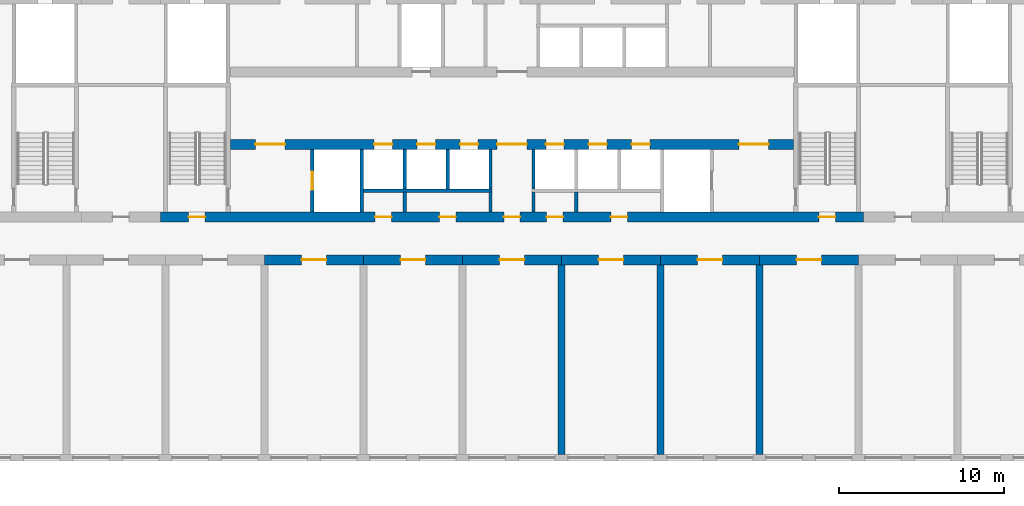
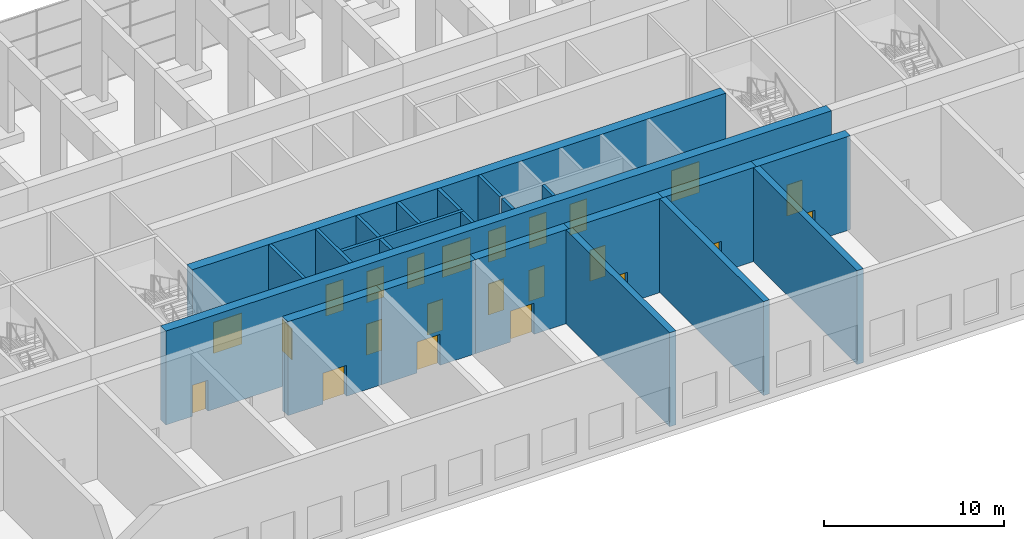
# One storey, part 9 of 15: 23 doors, 22 walls, 23 openings.
"""IFC4 building model written with IfcOpenShell, lengths in metres."""

from ifc_helpers import new_model, si_unit, direction, frame, frame_2d, origin, place, context, subcontext, project, spatial, rectangle, extrude, material, layer, layer_set, type_object, element, fill, save


model = new_model("IFC4")

# Units and contexts
model_context = context("Model", 3, precision=1e-05, world=origin(), true_north=direction((0.0, 1.0)))
body_context = subcontext(model_context, "Body", "Model", "MODEL_VIEW")
ifc_project = project(units=[si_unit("LENGTHUNIT", "METRE"), si_unit("AREAUNIT", "SQUARE_METRE"), si_unit("VOLUMEUNIT", "CUBIC_METRE"), si_unit("PLANEANGLEUNIT", "RADIAN"), si_unit("MASSUNIT", "GRAM", prefix="KILO")], contexts=[model_context])

# Site, building, storey
site_placement = place(None, origin())
site = spatial("IfcSite", under=ifc_project, at=site_placement, CompositionType="ELEMENT")
building_placement = place(site_placement, origin())
building = spatial("IfcBuilding", under=site, at=building_placement, Name="Poui Terraces", CompositionType="ELEMENT")
storey_placement = place(building_placement, frame((0.0, 0.0, 66.300048828125)))
storey = spatial("IfcBuildingStorey", under=building, at=storey_placement, Name="L18", CompositionType="ELEMENT", Elevation=66.300048828125)

# Wall, opening, door
ifc_material_1 = material(Name="Concrete 80 MPa", Category="concrete")
ifc_layer_1 = layer(ifc_material_1, 0.60009765625)
ifc_layer_set_1 = layer_set([ifc_layer_1], Name="Concrete 80 MPa")
wall_type_1 = type_object("IfcWallType", Name="BELT WALL 600 80MPa", PredefinedType="SHEAR", material=ifc_layer_set_1)
wall_1_placement = place(storey_placement, frame((36.0, 12.0, 0.0), z_axis=(0.0, 0.0, 1.0), x_axis=(1.0, 0.0, 0.0)))
wall_1 = element("IfcWall", 1, at=wall_1_placement, inside=storey, type_object=wall_type_1, Name="BELT WALL LINE B BAY 6", PredefinedType="SHEAR", context=body_context, shape_type="SweptSolid", body=[
    extrude(rectangle(XDim=6.0, YDim=0.60009765625, at=frame_2d((3.0, 0.0))), origin(), (0.0, 0.0, 1.0), 6.35986328125),
])
opening_1_placement = place(wall_1_placement, frame((2.25, 0.0, 0.0)))
opening_1 = element("IfcOpeningElement", 2, at=opening_1_placement, cuts=wall_1, Name="Opening FDP", PredefinedType="OPENING", context=body_context, shape_type="SweptSolid", body=[
    extrude(rectangle(XDim=1.5, YDim=2.10009765625, at=frame_2d((0.75, 1.050048828125))), frame((0.0, 0.31005859375, 0.0), z_axis=(0.0, -1.0, 0.0), x_axis=(1.0, 0.0, 0.0)), (0.0, 0.0, 1.0), 0.6201171875),
])
ifc_material_2 = material(Name="Steel fire door", Category="steel")
door_type_1 = type_object("IfcDoorType", Name="PLANT ROOM DOOR PAIR 1500 X 2100", OperationType="DOUBLE_DOOR_SINGLE_SWING", PredefinedType="DOOR", material=ifc_material_2)
door_1_placement = place(opening_1_placement, origin())
door_1 = element("IfcDoor", 3, at=door_1_placement, inside=storey, type_object=door_type_1, Name="PLANT ROOM DOOR PAIR 033", OperationType="DOUBLE_DOOR_SINGLE_SWING", OverallHeight=2.10009765625, OverallWidth=1.5, PredefinedType="DOOR", context=body_context, shape_type="SweptSolid", body=[
    extrude(rectangle(XDim=1.5, YDim=2.10009765625, at=frame_2d((0.75, 1.050048828125))), frame((0.0, 0.02490234375, 0.0), z_axis=(0.0, -1.0, 0.0), x_axis=(1.0, 0.0, 0.0)), (0.0, 0.0, 1.0), 0.050048828125),
])
fill(opening_1, door_1)

wall_2_placement = place(storey_placement, frame((42.0, 12.0, 0.0), z_axis=(0.0, 0.0, 1.0), x_axis=(1.0, 0.0, 0.0)))
wall_2 = element("IfcWall", 4, at=wall_2_placement, inside=storey, type_object=wall_type_1, Name="BELT WALL LINE B BAY 7", PredefinedType="SHEAR", context=body_context, shape_type="SweptSolid", body=[
    extrude(rectangle(XDim=6.0, YDim=0.60009765625, at=frame_2d((3.0, 0.0))), origin(), (0.0, 0.0, 1.0), 6.35986328125),
])
opening_2_placement = place(wall_2_placement, frame((2.25, 0.0, 0.0)))
opening_2 = element("IfcOpeningElement", 5, at=opening_2_placement, cuts=wall_2, Name="Opening FDP", PredefinedType="OPENING", context=body_context, shape_type="SweptSolid", body=[
    extrude(rectangle(XDim=1.5, YDim=2.10009765625, at=frame_2d((0.75, 1.050048828125))), frame((0.0, 0.31005859375, 0.0), z_axis=(0.0, -1.0, 0.0), x_axis=(1.0, 0.0, 0.0)), (0.0, 0.0, 1.0), 0.6201171875),
])
door_2_placement = place(opening_2_placement, origin())
door_2 = element("IfcDoor", 6, at=door_2_placement, inside=storey, type_object=door_type_1, Name="PLANT ROOM DOOR PAIR 035", OperationType="DOUBLE_DOOR_SINGLE_SWING", OverallHeight=2.10009765625, OverallWidth=1.5, PredefinedType="DOOR", context=body_context, shape_type="SweptSolid", body=[
    extrude(rectangle(XDim=1.5, YDim=2.10009765625, at=frame_2d((0.75, 1.050048828125))), frame((0.0, 0.02490234375, 0.0), z_axis=(0.0, -1.0, 0.0), x_axis=(1.0, 0.0, 0.0)), (0.0, 0.0, 1.0), 0.050048828125),
])
fill(opening_2, door_2)

wall_3_placement = place(storey_placement, frame((48.0, 12.0, 0.0), z_axis=(0.0, 0.0, 1.0), x_axis=(1.0, 0.0, 0.0)))
wall_3 = element("IfcWall", 7, at=wall_3_placement, inside=storey, type_object=wall_type_1, Name="BELT WALL LINE B BAY 8", PredefinedType="SHEAR", context=body_context, shape_type="SweptSolid", body=[
    extrude(rectangle(XDim=6.0, YDim=0.60009765625, at=frame_2d((3.0, 0.0))), origin(), (0.0, 0.0, 1.0), 6.35986328125),
])
opening_3_placement = place(wall_3_placement, frame((2.25, 0.0, 0.0)))
opening_3 = element("IfcOpeningElement", 8, at=opening_3_placement, cuts=wall_3, Name="Opening FDP", PredefinedType="OPENING", context=body_context, shape_type="SweptSolid", body=[
    extrude(rectangle(XDim=1.5, YDim=2.10009765625, at=frame_2d((0.75, 1.050048828125))), frame((0.0, 0.31005859375, 0.0), z_axis=(0.0, -1.0, 0.0), x_axis=(1.0, 0.0, 0.0)), (0.0, 0.0, 1.0), 0.6201171875),
])
door_3_placement = place(opening_3_placement, origin())
door_3 = element("IfcDoor", 9, at=door_3_placement, inside=storey, type_object=door_type_1, Name="PLANT ROOM DOOR PAIR 037", OperationType="DOUBLE_DOOR_SINGLE_SWING", OverallHeight=2.10009765625, OverallWidth=1.5, PredefinedType="DOOR", context=body_context, shape_type="SweptSolid", body=[
    extrude(rectangle(XDim=1.5, YDim=2.10009765625, at=frame_2d((0.75, 1.050048828125))), frame((0.0, 0.02490234375, 0.0), z_axis=(0.0, -1.0, 0.0), x_axis=(1.0, 0.0, 0.0)), (0.0, 0.0, 1.0), 0.050048828125),
])
fill(opening_3, door_3)

wall_4_placement = place(storey_placement, frame((54.0, 12.0, 0.0), z_axis=(0.0, 0.0, 1.0), x_axis=(1.0, 0.0, 0.0)))
wall_4 = element("IfcWall", 10, at=wall_4_placement, inside=storey, type_object=wall_type_1, Name="BELT WALL LINE B BAY 9", PredefinedType="SHEAR", context=body_context, shape_type="SweptSolid", body=[
    extrude(rectangle(XDim=6.0, YDim=0.60009765625, at=frame_2d((3.0, 0.0))), origin(), (0.0, 0.0, 1.0), 6.35986328125),
])
opening_4_placement = place(wall_4_placement, frame((2.25, 0.0, 0.0)))
opening_4 = element("IfcOpeningElement", 11, at=opening_4_placement, cuts=wall_4, Name="Opening FDP", PredefinedType="OPENING", context=body_context, shape_type="SweptSolid", body=[
    extrude(rectangle(XDim=1.5, YDim=2.10009765625, at=frame_2d((0.75, 1.050048828125))), frame((0.0, 0.31005859375, 0.0), z_axis=(0.0, -1.0, 0.0), x_axis=(1.0, 0.0, 0.0)), (0.0, 0.0, 1.0), 0.6201171875),
])
door_4_placement = place(opening_4_placement, origin())
door_4 = element("IfcDoor", 12, at=door_4_placement, inside=storey, type_object=door_type_1, Name="PLANT ROOM DOOR PAIR 040", OperationType="DOUBLE_DOOR_SINGLE_SWING", OverallHeight=2.10009765625, OverallWidth=1.5, PredefinedType="DOOR", context=body_context, shape_type="SweptSolid", body=[
    extrude(rectangle(XDim=1.5, YDim=2.10009765625, at=frame_2d((0.75, 1.050048828125))), frame((0.0, 0.02490234375, 0.0), z_axis=(0.0, -1.0, 0.0), x_axis=(1.0, 0.0, 0.0)), (0.0, 0.0, 1.0), 0.050048828125),
])
fill(opening_4, door_4)

wall_5_placement = place(storey_placement, frame((60.0, 12.0, 0.0), z_axis=(0.0, 0.0, 1.0), x_axis=(1.0, 0.0, 0.0)))
wall_5 = element("IfcWall", 13, at=wall_5_placement, inside=storey, type_object=wall_type_1, Name="BELT WALL LINE B BAY 10", PredefinedType="SHEAR", context=body_context, shape_type="SweptSolid", body=[
    extrude(rectangle(XDim=6.0, YDim=0.60009765625, at=frame_2d((3.0, 0.0))), origin(), (0.0, 0.0, 1.0), 6.35986328125),
])
opening_5_placement = place(wall_5_placement, frame((2.25, 0.0, 0.0)))
opening_5 = element("IfcOpeningElement", 14, at=opening_5_placement, cuts=wall_5, Name="Opening FDP", PredefinedType="OPENING", context=body_context, shape_type="SweptSolid", body=[
    extrude(rectangle(XDim=1.5, YDim=2.10009765625, at=frame_2d((0.75, 1.050048828125))), frame((0.0, 0.31005859375, 0.0), z_axis=(0.0, -1.0, 0.0), x_axis=(1.0, 0.0, 0.0)), (0.0, 0.0, 1.0), 0.6201171875),
])
door_5_placement = place(opening_5_placement, origin())
door_5 = element("IfcDoor", 15, at=door_5_placement, inside=storey, type_object=door_type_1, Name="PLANT ROOM DOOR PAIR 042", OperationType="DOUBLE_DOOR_SINGLE_SWING", OverallHeight=2.10009765625, OverallWidth=1.5, PredefinedType="DOOR", context=body_context, shape_type="SweptSolid", body=[
    extrude(rectangle(XDim=1.5, YDim=2.10009765625, at=frame_2d((0.75, 1.050048828125))), frame((0.0, 0.02490234375, 0.0), z_axis=(0.0, -1.0, 0.0), x_axis=(1.0, 0.0, 0.0)), (0.0, 0.0, 1.0), 0.050048828125),
])
fill(opening_5, door_5)

wall_6_placement = place(storey_placement, frame((66.0, 12.0, 0.0), z_axis=(0.0, 0.0, 1.0), x_axis=(1.0, 0.0, 0.0)))
wall_6 = element("IfcWall", 16, at=wall_6_placement, inside=storey, type_object=wall_type_1, Name="BELT WALL LINE B BAY 11", PredefinedType="SHEAR", context=body_context, shape_type="SweptSolid", body=[
    extrude(rectangle(XDim=6.0, YDim=0.60009765625, at=frame_2d((3.0, 0.0))), origin(), (0.0, 0.0, 1.0), 6.35986328125),
])
opening_6_placement = place(wall_6_placement, frame((2.25, 0.0, 0.0)))
opening_6 = element("IfcOpeningElement", 17, at=opening_6_placement, cuts=wall_6, Name="Opening FDP", PredefinedType="OPENING", context=body_context, shape_type="SweptSolid", body=[
    extrude(rectangle(XDim=1.5, YDim=2.10009765625, at=frame_2d((0.75, 1.050048828125))), frame((0.0, 0.31005859375, 0.0), z_axis=(0.0, -1.0, 0.0), x_axis=(1.0, 0.0, 0.0)), (0.0, 0.0, 1.0), 0.6201171875),
])
door_6_placement = place(opening_6_placement, origin())
door_6 = element("IfcDoor", 18, at=door_6_placement, inside=storey, type_object=door_type_1, Name="PLANT ROOM DOOR PAIR 043", OperationType="DOUBLE_DOOR_SINGLE_SWING", OverallHeight=2.10009765625, OverallWidth=1.5, PredefinedType="DOOR", context=body_context, shape_type="SweptSolid", body=[
    extrude(rectangle(XDim=1.5, YDim=2.10009765625, at=frame_2d((0.75, 1.050048828125))), frame((0.0, 0.02490234375, 0.0), z_axis=(0.0, -1.0, 0.0), x_axis=(1.0, 0.0, 0.0)), (0.0, 0.0, 1.0), 0.050048828125),
])
fill(opening_6, door_6)

# Wall, openings, doors
ifc_layer_2 = layer(ifc_material_1, 0.60009765625)
ifc_layer_set_2 = layer_set([ifc_layer_2], Name="Concrete 80 MPa")
wall_type_2 = type_object("IfcWallType", Name="CORE WALL 600 80 MPA", PredefinedType="SOLIDWALL", material=ifc_layer_set_2)
wall_7_placement = place(storey_placement, frame((33.925048828125, 19.0, 0.0), z_axis=(0.0, 0.0, 1.0), x_axis=(1.0, 0.0, 0.0)))
wall_7 = element("IfcWall", 19, at=wall_7_placement, inside=storey, type_object=wall_type_2, Name="CORE WALL", PredefinedType="SOLIDWALL", context=body_context, shape_type="SweptSolid", body=[
    extrude(rectangle(XDim=34.14990234375, YDim=0.60009765625, at=frame_2d((17.074951171875, 0.0))), origin(), (0.0, 0.0, 1.0), 6.35986328125),
])
opening_7_placement = place(wall_7_placement, frame((16.175048828125, 0.0, 0.0)))
opening_7 = element("IfcOpeningElement", 20, at=opening_7_placement, cuts=wall_7, Name="Opening FDD60", PredefinedType="OPENING", context=body_context, shape_type="SweptSolid", body=[
    extrude(rectangle(XDim=1.800048828125, YDim=2.10009765625, at=frame_2d((0.89990234375, 1.050048828125))), frame((0.0, 0.31005859375, 0.0), z_axis=(0.0, -1.0, 0.0), x_axis=(1.0, 0.0, 0.0)), (0.0, 0.0, 1.0), 0.6201171875),
])
opening_8_placement = place(wall_7_placement, frame((1.52490234375, 0.0, 0.0)))
opening_8 = element("IfcOpeningElement", 21, at=opening_8_placement, cuts=wall_7, Name="Opening FDD60", PredefinedType="OPENING", context=body_context, shape_type="SweptSolid", body=[
    extrude(rectangle(XDim=1.800048828125, YDim=2.10009765625, at=frame_2d((0.89990234375, 1.050048828125))), frame((0.0, 0.31005859375, 0.0), z_axis=(0.0, -1.0, 0.0), x_axis=(1.0, 0.0, 0.0)), (0.0, 0.0, 1.0), 0.6201171875),
])
opening_9_placement = place(wall_7_placement, frame((8.72509765625, 0.0, 0.0)))
opening_9 = element("IfcOpeningElement", 22, at=opening_9_placement, cuts=wall_7, Name="Opening LD", PredefinedType="OPENING", context=body_context, shape_type="SweptSolid", body=[
    extrude(rectangle(XDim=1.10009765625, YDim=2.10009765625, at=frame_2d((0.550048828125, 1.050048828125))), frame((0.0, 0.31005859375, 0.0), z_axis=(0.0, -1.0, 0.0), x_axis=(1.0, 0.0, 0.0)), (0.0, 0.0, 1.0), 0.6201171875),
])
opening_10_placement = place(wall_7_placement, frame((11.324951171875, 0.0, 0.0)))
opening_10 = element("IfcOpeningElement", 23, at=opening_10_placement, cuts=wall_7, Name="Opening LD", PredefinedType="OPENING", context=body_context, shape_type="SweptSolid", body=[
    extrude(rectangle(XDim=1.10009765625, YDim=2.10009765625, at=frame_2d((0.550048828125, 1.050048828125))), frame((0.0, 0.31005859375, 0.0), z_axis=(0.0, -1.0, 0.0), x_axis=(1.0, 0.0, 0.0)), (0.0, 0.0, 1.0), 0.6201171875),
])
opening_11_placement = place(wall_7_placement, frame((13.925048828125, 0.0, 0.0)))
opening_11 = element("IfcOpeningElement", 24, at=opening_11_placement, cuts=wall_7, Name="Opening LD", PredefinedType="OPENING", context=body_context, shape_type="SweptSolid", body=[
    extrude(rectangle(XDim=1.10009765625, YDim=2.10009765625, at=frame_2d((0.550048828125, 1.050048828125))), frame((0.0, 0.31005859375, 0.0), z_axis=(0.0, -1.0, 0.0), x_axis=(1.0, 0.0, 0.0)), (0.0, 0.0, 1.0), 0.6201171875),
])
opening_12_placement = place(wall_7_placement, frame((19.125, 0.0, 0.0)))
opening_12 = element("IfcOpeningElement", 25, at=opening_12_placement, cuts=wall_7, Name="Opening LD", PredefinedType="OPENING", context=body_context, shape_type="SweptSolid", body=[
    extrude(rectangle(XDim=1.10009765625, YDim=2.10009765625, at=frame_2d((0.550048828125, 1.050048828125))), frame((0.0, 0.31005859375, 0.0), z_axis=(0.0, -1.0, 0.0), x_axis=(1.0, 0.0, 0.0)), (0.0, 0.0, 1.0), 0.6201171875),
])
opening_13_placement = place(wall_7_placement, frame((21.72509765625, 0.0, 0.0)))
opening_13 = element("IfcOpeningElement", 26, at=opening_13_placement, cuts=wall_7, Name="Opening LD", PredefinedType="OPENING", context=body_context, shape_type="SweptSolid", body=[
    extrude(rectangle(XDim=1.10009765625, YDim=2.10009765625, at=frame_2d((0.550048828125, 1.050048828125))), frame((0.0, 0.31005859375, 0.0), z_axis=(0.0, -1.0, 0.0), x_axis=(1.0, 0.0, 0.0)), (0.0, 0.0, 1.0), 0.6201171875),
])
opening_14_placement = place(wall_7_placement, frame((24.324951171875, 0.0, 0.0)))
opening_14 = element("IfcOpeningElement", 27, at=opening_14_placement, cuts=wall_7, Name="Opening LD", PredefinedType="OPENING", context=body_context, shape_type="SweptSolid", body=[
    extrude(rectangle(XDim=1.10009765625, YDim=2.10009765625, at=frame_2d((0.550048828125, 1.050048828125))), frame((0.0, 0.31005859375, 0.0), z_axis=(0.0, -1.0, 0.0), x_axis=(1.0, 0.0, 0.0)), (0.0, 0.0, 1.0), 0.6201171875),
])
opening_15_placement = place(wall_7_placement, frame((30.824951171875, 0.0, 0.0)))
opening_15 = element("IfcOpeningElement", 28, at=opening_15_placement, cuts=wall_7, Name="Opening FDD60", PredefinedType="OPENING", context=body_context, shape_type="SweptSolid", body=[
    extrude(rectangle(XDim=1.800048828125, YDim=2.10009765625, at=frame_2d((0.89990234375, 1.050048828125))), frame((0.0, 0.31005859375, 0.0), z_axis=(0.0, -1.0, 0.0), x_axis=(1.0, 0.0, 0.0)), (0.0, 0.0, 1.0), 0.6201171875),
])
door_type_2 = type_object("IfcDoorType", Name="DOUBLE LOBBY FIRE DOOR 1800 X 2100", OperationType="DOUBLE_DOOR_SINGLE_SWING", PredefinedType="DOOR", material=ifc_material_2)
door_7_placement = place(opening_7_placement, frame((1.800048828125, 0.0, 0.0), z_axis=(0.0, 0.0, 1.0), x_axis=(-1.0, 0.0, 0.0)))
door_7 = element("IfcDoor", 29, at=door_7_placement, inside=storey, type_object=door_type_2, Name="DOUBLE LOBBY FIRE DOOR 056", OperationType="DOUBLE_DOOR_SINGLE_SWING", OverallHeight=2.10009765625, OverallWidth=1.800048828125, PredefinedType="DOOR", context=body_context, shape_type="SweptSolid", body=[
    extrude(rectangle(XDim=1.800048828125, YDim=2.10009765625, at=frame_2d((0.89990234375, 1.050048828125))), frame((0.0, 0.02490234375, 0.0), z_axis=(0.0, -1.0, 0.0), x_axis=(1.0, 0.0, 0.0)), (0.0, 0.0, 1.0), 0.050048828125),
])
fill(opening_7, door_7)
door_8_placement = place(opening_8_placement, origin())
door_8 = element("IfcDoor", 30, at=door_8_placement, inside=storey, type_object=door_type_2, Name="DOUBLE LOBBY FIRE DOOR 057", OperationType="DOUBLE_DOOR_SINGLE_SWING", OverallHeight=2.10009765625, OverallWidth=1.800048828125, PredefinedType="DOOR", context=body_context, shape_type="SweptSolid", body=[
    extrude(rectangle(XDim=1.800048828125, YDim=2.10009765625, at=frame_2d((0.89990234375, 1.050048828125))), frame((0.0, 0.02490234375, 0.0), z_axis=(0.0, -1.0, 0.0), x_axis=(1.0, 0.0, 0.0)), (0.0, 0.0, 1.0), 0.050048828125),
])
fill(opening_8, door_8)
door_9_placement = place(opening_15_placement, origin())
door_9 = element("IfcDoor", 31, at=door_9_placement, inside=storey, type_object=door_type_2, Name="DOUBLE LOBBY FIRE DOOR 065", OperationType="DOUBLE_DOOR_SINGLE_SWING", OverallHeight=2.10009765625, OverallWidth=1.800048828125, PredefinedType="DOOR", context=body_context, shape_type="SweptSolid", body=[
    extrude(rectangle(XDim=1.800048828125, YDim=2.10009765625, at=frame_2d((0.89990234375, 1.050048828125))), frame((0.0, 0.02490234375, 0.0), z_axis=(0.0, -1.0, 0.0), x_axis=(1.0, 0.0, 0.0)), (0.0, 0.0, 1.0), 0.050048828125),
])
fill(opening_15, door_9)
ifc_material_3 = material(Name="Stainless steel sliding door", Category="steel")
door_type_3 = type_object("IfcDoorType", Name="LIFT LANDING DOOR 1100 X 2100", OperationType="DOUBLE_DOOR_SLIDING", PredefinedType="DOOR", material=ifc_material_3)
door_10_placement = place(opening_9_placement, origin())
door_10 = element("IfcDoor", 32, at=door_10_placement, inside=storey, type_object=door_type_3, Name="LANDING DOOR", OperationType="DOUBLE_DOOR_SLIDING", OverallHeight=2.10009765625, OverallWidth=1.10009765625, PredefinedType="DOOR", context=body_context, shape_type="SweptSolid", body=[
    extrude(rectangle(XDim=1.10009765625, YDim=2.10009765625, at=frame_2d((0.550048828125, 1.050048828125))), frame((0.0, 0.02490234375, 0.0), z_axis=(0.0, -1.0, 0.0), x_axis=(1.0, 0.0, 0.0)), (0.0, 0.0, 1.0), 0.050048828125),
])
fill(opening_9, door_10)
door_11_placement = place(opening_10_placement, origin())
door_11 = element("IfcDoor", 33, at=door_11_placement, inside=storey, type_object=door_type_3, Name="LANDING DOOR", OperationType="DOUBLE_DOOR_SLIDING", OverallHeight=2.10009765625, OverallWidth=1.10009765625, PredefinedType="DOOR", context=body_context, shape_type="SweptSolid", body=[
    extrude(rectangle(XDim=1.10009765625, YDim=2.10009765625, at=frame_2d((0.550048828125, 1.050048828125))), frame((0.0, 0.02490234375, 0.0), z_axis=(0.0, -1.0, 0.0), x_axis=(1.0, 0.0, 0.0)), (0.0, 0.0, 1.0), 0.050048828125),
])
fill(opening_10, door_11)
door_12_placement = place(opening_11_placement, origin())
door_12 = element("IfcDoor", 34, at=door_12_placement, inside=storey, type_object=door_type_3, Name="LANDING DOOR", OperationType="DOUBLE_DOOR_SLIDING", OverallHeight=2.10009765625, OverallWidth=1.10009765625, PredefinedType="DOOR", context=body_context, shape_type="SweptSolid", body=[
    extrude(rectangle(XDim=1.10009765625, YDim=2.10009765625, at=frame_2d((0.550048828125, 1.050048828125))), frame((0.0, 0.02490234375, 0.0), z_axis=(0.0, -1.0, 0.0), x_axis=(1.0, 0.0, 0.0)), (0.0, 0.0, 1.0), 0.050048828125),
])
fill(opening_11, door_12)
door_13_placement = place(opening_12_placement, origin())
door_13 = element("IfcDoor", 35, at=door_13_placement, inside=storey, type_object=door_type_3, Name="LANDING DOOR", OperationType="DOUBLE_DOOR_SLIDING", OverallHeight=2.10009765625, OverallWidth=1.10009765625, PredefinedType="DOOR", context=body_context, shape_type="SweptSolid", body=[
    extrude(rectangle(XDim=1.10009765625, YDim=2.10009765625, at=frame_2d((0.550048828125, 1.050048828125))), frame((0.0, 0.02490234375, 0.0), z_axis=(0.0, -1.0, 0.0), x_axis=(1.0, 0.0, 0.0)), (0.0, 0.0, 1.0), 0.050048828125),
])
fill(opening_12, door_13)
door_14_placement = place(opening_13_placement, origin())
door_14 = element("IfcDoor", 36, at=door_14_placement, inside=storey, type_object=door_type_3, Name="LANDING DOOR", OperationType="DOUBLE_DOOR_SLIDING", OverallHeight=2.10009765625, OverallWidth=1.10009765625, PredefinedType="DOOR", context=body_context, shape_type="SweptSolid", body=[
    extrude(rectangle(XDim=1.10009765625, YDim=2.10009765625, at=frame_2d((0.550048828125, 1.050048828125))), frame((0.0, 0.02490234375, 0.0), z_axis=(0.0, -1.0, 0.0), x_axis=(1.0, 0.0, 0.0)), (0.0, 0.0, 1.0), 0.050048828125),
])
fill(opening_13, door_14)
door_15_placement = place(opening_14_placement, origin())
door_15 = element("IfcDoor", 37, at=door_15_placement, inside=storey, type_object=door_type_3, Name="LANDING DOOR", OperationType="DOUBLE_DOOR_SLIDING", OverallHeight=2.10009765625, OverallWidth=1.10009765625, PredefinedType="DOOR", context=body_context, shape_type="SweptSolid", body=[
    extrude(rectangle(XDim=1.10009765625, YDim=2.10009765625, at=frame_2d((0.550048828125, 1.050048828125))), frame((0.0, 0.02490234375, 0.0), z_axis=(0.0, -1.0, 0.0), x_axis=(1.0, 0.0, 0.0)), (0.0, 0.0, 1.0), 0.050048828125),
])
fill(opening_14, door_15)

# Walls
ifc_layer_3 = layer(ifc_material_1, 0.39990234375)
ifc_layer_set_3 = layer_set([ifc_layer_3], Name="Concrete 80 MPa")
wall_type_3 = type_object("IfcWallType", Name="CROSS WALL 400 80MPa", PredefinedType="SHEAR", material=ifc_layer_set_3)
for number, where, z_axis, x_axis, name in (
    (38, (54.0, 0.199951171875, 0.0), (0.0, 0.0, 1.0), (0.0, 1.0, 0.0), "CROSS WALL LINE 10 SOUTH"),
    (39, (60.0, 0.199951171875, 0.0), (0.0, 0.0, 1.0), (0.0, 1.0, 0.0), "CROSS WALL LINE 11 SOUTH"),
    (40, (66.0, 0.199951171875, 0.0), (0.0, 0.0, 1.0), (0.0, 1.0, 0.0), "CROSS WALL LINE 12 SOUTH"),
):
    element("IfcWall", number, at=place(storey_placement, frame(where, z_axis=z_axis, x_axis=x_axis)), inside=storey, type_object=wall_type_3, Name=name, PredefinedType="SHEAR", context=body_context, shape_type="SweptSolid", body=[
        extrude(rectangle(XDim=11.5, YDim=0.39990234375, at=frame_2d((5.75, 0.0))), origin(), (0.0, 0.0, 1.0), 6.35986328125),
    ])
ifc_material_4 = material(Name="Fire-rated masonry wall", Category="masonry")
ifc_layer_4 = layer(ifc_material_4, 0.199951171875)
ifc_layer_set_4 = layer_set([ifc_layer_4], Name="Fire-rated masonry wall")
wall_type_4 = type_object("IfcWallType", Name="PLANT ROOM WALL 200", PredefinedType="PARTITIONING", material=ifc_layer_set_4)
for number, where, z_axis, x_axis, name in (
    (41, (44.5, 14.909912109375, 0.0), (0.0, 0.0, 1.0), (0.0, 1.0, 0.0), "PLANT ROOM WALL 200"),
    (42, (49.699951171875, 14.909912109375, 0.0), (0.0, 0.0, 1.0), (0.0, 1.0, 0.0), "PLANT ROOM WALL 200"),
    (43, (52.300048828125, 14.909912109375, 0.0), (0.0, 0.0, 1.0), (0.0, 1.0, 0.0), "PLANT ROOM WALL 200"),
    (44, (54.89990234375, 14.909912109375, 0.0), (0.0, 0.0, 1.0), (0.0, 1.0, 0.0), "PLANT ROOM WALL 200"),
):
    element("IfcWall", number, at=place(storey_placement, frame(where, z_axis=z_axis, x_axis=x_axis)), inside=storey, type_object=wall_type_4, Name=name, PredefinedType="PARTITIONING", context=body_context, shape_type="SweptSolid", body=[
        extrude(rectangle(XDim=1.190185546875, YDim=0.199951171875, at=frame_2d((0.59521484375, 0.0))), origin(), (0.0, 0.0, 1.0), 6.35986328125),
    ])
ifc_material_5 = material(Name="Fire-rated masonry shaft wall", Category="masonry")
ifc_layer_5 = layer(ifc_material_5, 0.199951171875)
ifc_layer_set_5 = layer_set([ifc_layer_5], Name="Fire-rated masonry shaft wall")
wall_type_5 = type_object("IfcWallType", Name="SHAFT WALL 200", PredefinedType="PARTITIONING", material=ifc_layer_set_5)
wall_8_placement = place(storey_placement, frame((42.0, 16.199951171875, 0.0), z_axis=(0.0, 0.0, 1.0), x_axis=(1.0, 0.0, 0.0)))
element("IfcWall", 45, at=wall_8_placement, inside=storey, type_object=wall_type_5, Name="SHAFT WALL 200", PredefinedType="PARTITIONING", context=body_context, shape_type="SweptSolid", body=[
    extrude(rectangle(XDim=7.800048828125, YDim=0.199951171875, at=frame_2d((3.89990234375, 0.0))), origin(), (0.0, 0.0, 1.0), 6.35986328125),
])

# Wall, opening, door
wall_9_placement = place(storey_placement, frame((38.89990234375, 14.909912109375, 0.0), z_axis=(0.0, 0.0, 1.0), x_axis=(0.0, 1.0, 0.0)))
wall_9 = element("IfcWall", 46, at=wall_9_placement, inside=storey, type_object=wall_type_5, Name="SHAFT WALL 200", PredefinedType="PARTITIONING", context=body_context, shape_type="SweptSolid", body=[
    extrude(rectangle(XDim=3.780029296875, YDim=0.199951171875, at=frame_2d((1.89013671875, 0.0))), origin(), (0.0, 0.0, 1.0), 6.35986328125),
])
opening_16_placement = place(wall_9_placement, frame((1.340087890625, 0.0, 0.0)))
opening_16 = element("IfcOpeningElement", 47, at=opening_16_placement, cuts=wall_9, Name="Opening LD", PredefinedType="OPENING", context=body_context, shape_type="SweptSolid", body=[
    extrude(rectangle(XDim=1.10009765625, YDim=2.10009765625, at=frame_2d((0.550048828125, 1.050048828125))), frame((0.0, 0.10986328125, 0.0), z_axis=(0.0, -1.0, 0.0), x_axis=(1.0, 0.0, 0.0)), (0.0, 0.0, 1.0), 0.219970703125),
])
door_16_placement = place(opening_16_placement, origin())
door_16 = element("IfcDoor", 48, at=door_16_placement, inside=storey, type_object=door_type_3, Name="LANDING DOOR", OperationType="DOUBLE_DOOR_SLIDING", OverallHeight=2.10009765625, OverallWidth=1.10009765625, PredefinedType="DOOR", context=body_context, shape_type="SweptSolid", body=[
    extrude(rectangle(XDim=1.10009765625, YDim=2.10009765625, at=frame_2d((0.550048828125, 1.050048828125))), frame((0.0, 0.02490234375, 0.0), z_axis=(0.0, -1.0, 0.0), x_axis=(1.0, 0.0, 0.0)), (0.0, 0.0, 1.0), 0.050048828125),
])
fill(opening_16, door_16)

# Walls
wall_10_placement = place(storey_placement, frame((41.89990234375, 14.909912109375, 0.0), z_axis=(0.0, 0.0, 1.0), x_axis=(0.0, 1.0, 0.0)))
element("IfcWall", 49, at=wall_10_placement, inside=storey, type_object=wall_type_5, Name="SHAFT WALL 200", PredefinedType="PARTITIONING", context=body_context, shape_type="SweptSolid", body=[
    extrude(rectangle(XDim=3.780029296875, YDim=0.199951171875, at=frame_2d((1.89013671875, 0.0))), origin(), (0.0, 0.0, 1.0), 6.35986328125),
])
for number, where, z_axis, x_axis, name in (
    (50, (44.5, 16.300048828125, 0.0), (0.0, 0.0, 1.0), (0.0, 1.0, 0.0), "SHAFT WALL 200"),
    (51, (47.10009765625, 16.300048828125, 0.0), (0.0, 0.0, 1.0), (0.0, 1.0, 0.0), "SHAFT WALL 200"),
    (52, (49.699951171875, 16.300048828125, 0.0), (0.0, 0.0, 1.0), (0.0, 1.0, 0.0), "SHAFT WALL 200"),
    (53, (52.300048828125, 16.300048828125, 0.0), (0.0, 0.0, 1.0), (0.0, 1.0, 0.0), "SHAFT WALL 200"),
):
    element("IfcWall", number, at=place(storey_placement, frame(where, z_axis=z_axis, x_axis=x_axis)), inside=storey, type_object=wall_type_5, Name=name, PredefinedType="PARTITIONING", context=body_context, shape_type="SweptSolid", body=[
        extrude(rectangle(XDim=2.389892578125, YDim=0.199951171875, at=frame_2d((1.19482421875, 0.0))), origin(), (0.0, 0.0, 1.0), 6.35986328125),
    ])

# Wall, openings, doors
ifc_layer_6 = layer(ifc_material_1, 0.60009765625)
ifc_layer_set_6 = layer_set([ifc_layer_6], Name="Concrete 80 MPa")
wall_type_6 = type_object("IfcWallType", Name="SPINE WALL 600 80 MPA", PredefinedType="SOLIDWALL", material=ifc_layer_set_6)
wall_11_placement = place(storey_placement, frame((29.699951171875, 14.60009765625, 0.0), z_axis=(0.0, 0.0, 1.0), x_axis=(1.0, 0.0, 0.0)))
wall_11 = element("IfcWall", 54, at=wall_11_placement, inside=storey, type_object=wall_type_6, Name="SPINE WALL", PredefinedType="SOLIDWALL", context=body_context, shape_type="SweptSolid", body=[
    extrude(rectangle(XDim=42.60009765625, YDim=0.60009765625, at=frame_2d((21.300048828125, 0.0))), origin(), (0.0, 0.0, 1.0), 6.35986328125),
])
opening_17_placement = place(wall_11_placement, frame((1.699951171875, 0.0, 0.0)))
opening_17 = element("IfcOpeningElement", 55, at=opening_17_placement, cuts=wall_11, Name="Opening FD60S", PredefinedType="OPENING", context=body_context, shape_type="SweptSolid", body=[
    extrude(rectangle(XDim=1.0, YDim=2.10009765625, at=frame_2d((0.5, 1.050048828125))), frame((0.0, 0.31005859375, 0.0), z_axis=(0.0, -1.0, 0.0), x_axis=(1.0, 0.0, 0.0)), (0.0, 0.0, 1.0), 0.6201171875),
])
opening_18_placement = place(wall_11_placement, frame((13.0, 0.0, 0.0)))
opening_18 = element("IfcOpeningElement", 56, at=opening_18_placement, cuts=wall_11, Name="Opening FD60", PredefinedType="OPENING", context=body_context, shape_type="SweptSolid", body=[
    extrude(rectangle(XDim=1.0, YDim=2.10009765625, at=frame_2d((0.5, 1.050048828125))), frame((0.0, 0.31005859375, 0.0), z_axis=(0.0, -1.0, 0.0), x_axis=(1.0, 0.0, 0.0)), (0.0, 0.0, 1.0), 0.6201171875),
])
opening_19_placement = place(wall_11_placement, frame((16.89990234375, 0.0, 0.0)))
opening_19 = element("IfcOpeningElement", 57, at=opening_19_placement, cuts=wall_11, Name="Opening FD60", PredefinedType="OPENING", context=body_context, shape_type="SweptSolid", body=[
    extrude(rectangle(XDim=1.0, YDim=2.10009765625, at=frame_2d((0.5, 1.050048828125))), frame((0.0, 0.31005859375, 0.0), z_axis=(0.0, -1.0, 0.0), x_axis=(1.0, 0.0, 0.0)), (0.0, 0.0, 1.0), 0.6201171875),
])
opening_20_placement = place(wall_11_placement, frame((20.800048828125, 0.0, 0.0)))
opening_20 = element("IfcOpeningElement", 58, at=opening_20_placement, cuts=wall_11, Name="Opening FDL", PredefinedType="OPENING", context=body_context, shape_type="SweptSolid", body=[
    extrude(rectangle(XDim=1.0, YDim=2.10009765625, at=frame_2d((0.5, 1.050048828125))), frame((0.0, 0.31005859375, 0.0), z_axis=(0.0, -1.0, 0.0), x_axis=(1.0, 0.0, 0.0)), (0.0, 0.0, 1.0), 0.6201171875),
])
opening_21_placement = place(wall_11_placement, frame((23.39990234375, 0.0, 0.0)))
opening_21 = element("IfcOpeningElement", 59, at=opening_21_placement, cuts=wall_11, Name="Opening FD60", PredefinedType="OPENING", context=body_context, shape_type="SweptSolid", body=[
    extrude(rectangle(XDim=1.0, YDim=2.10009765625, at=frame_2d((0.5, 1.050048828125))), frame((0.0, 0.31005859375, 0.0), z_axis=(0.0, -1.0, 0.0), x_axis=(1.0, 0.0, 0.0)), (0.0, 0.0, 1.0), 0.6201171875),
])
opening_22_placement = place(wall_11_placement, frame((27.300048828125, 0.0, 0.0)))
opening_22 = element("IfcOpeningElement", 60, at=opening_22_placement, cuts=wall_11, Name="Opening FD60", PredefinedType="OPENING", context=body_context, shape_type="SweptSolid", body=[
    extrude(rectangle(XDim=1.0, YDim=2.10009765625, at=frame_2d((0.5, 1.050048828125))), frame((0.0, 0.31005859375, 0.0), z_axis=(0.0, -1.0, 0.0), x_axis=(1.0, 0.0, 0.0)), (0.0, 0.0, 1.0), 0.6201171875),
])
opening_23_placement = place(wall_11_placement, frame((39.89990234375, 0.0, 0.0)))
opening_23 = element("IfcOpeningElement", 61, at=opening_23_placement, cuts=wall_11, Name="Opening FD60S", PredefinedType="OPENING", context=body_context, shape_type="SweptSolid", body=[
    extrude(rectangle(XDim=1.0, YDim=2.10009765625, at=frame_2d((0.5, 1.050048828125))), frame((0.0, 0.31005859375, 0.0), z_axis=(0.0, -1.0, 0.0), x_axis=(1.0, 0.0, 0.0)), (0.0, 0.0, 1.0), 0.6201171875),
])
door_type_4 = type_object("IfcDoorType", Name="LOBBY FIRE DOOR 1000 X 2100", OperationType="NOTDEFINED", PredefinedType="DOOR", material=ifc_material_2)
door_17_placement = place(opening_20_placement, frame((1.0, 0.0, 0.0), z_axis=(0.0, 0.0, 1.0), x_axis=(-1.0, 0.0, 0.0)))
door_17 = element("IfcDoor", 62, at=door_17_placement, inside=storey, type_object=door_type_4, Name="LOBBY FIRE DOOR 038", OperationType="SINGLE_SWING_LEFT", OverallHeight=2.10009765625, OverallWidth=1.0, PredefinedType="DOOR", context=body_context, shape_type="SweptSolid", body=[
    extrude(rectangle(XDim=1.0, YDim=2.10009765625, at=frame_2d((0.5, 1.050048828125))), frame((0.0, 0.02490234375, 0.0), z_axis=(0.0, -1.0, 0.0), x_axis=(1.0, 0.0, 0.0)), (0.0, 0.0, 1.0), 0.050048828125),
])
fill(opening_20, door_17)
door_type_5 = type_object("IfcDoorType", Name="SERVICE ROOM FIRE DOOR 1000 X 2100", OperationType="NOTDEFINED", PredefinedType="DOOR", material=ifc_material_2)
door_18_placement = place(opening_18_placement, frame((1.0, 0.0, 0.0), z_axis=(0.0, 0.0, 1.0), x_axis=(-1.0, 0.0, 0.0)))
door_18 = element("IfcDoor", 63, at=door_18_placement, inside=storey, type_object=door_type_5, Name="SERVICE ROOM FIRE DOOR 034", OperationType="SINGLE_SWING_LEFT", OverallHeight=2.10009765625, OverallWidth=1.0, PredefinedType="DOOR", context=body_context, shape_type="SweptSolid", body=[
    extrude(rectangle(XDim=1.0, YDim=2.10009765625, at=frame_2d((0.5, 1.050048828125))), frame((0.0, 0.02490234375, 0.0), z_axis=(0.0, -1.0, 0.0), x_axis=(1.0, 0.0, 0.0)), (0.0, 0.0, 1.0), 0.050048828125),
])
fill(opening_18, door_18)
door_19_placement = place(opening_19_placement, frame((1.0, 0.0, 0.0), z_axis=(0.0, 0.0, 1.0), x_axis=(-1.0, 0.0, 0.0)))
door_19 = element("IfcDoor", 64, at=door_19_placement, inside=storey, type_object=door_type_5, Name="SERVICE ROOM FIRE DOOR 036", OperationType="SINGLE_SWING_RIGHT", OverallHeight=2.10009765625, OverallWidth=1.0, PredefinedType="DOOR", context=body_context, shape_type="SweptSolid", body=[
    extrude(rectangle(XDim=1.0, YDim=2.10009765625, at=frame_2d((0.5, 1.050048828125))), frame((0.0, 0.02490234375, 0.0), z_axis=(0.0, -1.0, 0.0), x_axis=(1.0, 0.0, 0.0)), (0.0, 0.0, 1.0), 0.050048828125),
])
fill(opening_19, door_19)
door_20_placement = place(opening_21_placement, frame((1.0, 0.0, 0.0), z_axis=(0.0, 0.0, 1.0), x_axis=(-1.0, 0.0, 0.0)))
door_20 = element("IfcDoor", 65, at=door_20_placement, inside=storey, type_object=door_type_5, Name="SERVICE ROOM FIRE DOOR 039", OperationType="SINGLE_SWING_LEFT", OverallHeight=2.10009765625, OverallWidth=1.0, PredefinedType="DOOR", context=body_context, shape_type="SweptSolid", body=[
    extrude(rectangle(XDim=1.0, YDim=2.10009765625, at=frame_2d((0.5, 1.050048828125))), frame((0.0, 0.02490234375, 0.0), z_axis=(0.0, -1.0, 0.0), x_axis=(1.0, 0.0, 0.0)), (0.0, 0.0, 1.0), 0.050048828125),
])
fill(opening_21, door_20)
door_21_placement = place(opening_22_placement, frame((1.0, 0.0, 0.0), z_axis=(0.0, 0.0, 1.0), x_axis=(-1.0, 0.0, 0.0)))
door_21 = element("IfcDoor", 66, at=door_21_placement, inside=storey, type_object=door_type_5, Name="SERVICE ROOM FIRE DOOR 041", OperationType="SINGLE_SWING_RIGHT", OverallHeight=2.10009765625, OverallWidth=1.0, PredefinedType="DOOR", context=body_context, shape_type="SweptSolid", body=[
    extrude(rectangle(XDim=1.0, YDim=2.10009765625, at=frame_2d((0.5, 1.050048828125))), frame((0.0, 0.02490234375, 0.0), z_axis=(0.0, -1.0, 0.0), x_axis=(1.0, 0.0, 0.0)), (0.0, 0.0, 1.0), 0.050048828125),
])
fill(opening_22, door_21)
door_type_6 = type_object("IfcDoorType", Name="STAIR DOOR 1000 X 2100", OperationType="NOTDEFINED", PredefinedType="DOOR", material=ifc_material_2)
door_22_placement = place(opening_17_placement, origin())
door_22 = element("IfcDoor", 67, at=door_22_placement, inside=storey, type_object=door_type_6, Name="STAIR DOOR 031", OperationType="SINGLE_SWING_RIGHT", OverallHeight=2.10009765625, OverallWidth=1.0, PredefinedType="DOOR", context=body_context, shape_type="SweptSolid", body=[
    extrude(rectangle(XDim=1.0, YDim=2.10009765625, at=frame_2d((0.5, 1.050048828125))), frame((0.0, 0.02490234375, 0.0), z_axis=(0.0, -1.0, 0.0), x_axis=(1.0, 0.0, 0.0)), (0.0, 0.0, 1.0), 0.050048828125),
])
fill(opening_17, door_22)
door_23_placement = place(opening_23_placement, origin())
door_23 = element("IfcDoor", 68, at=door_23_placement, inside=storey, type_object=door_type_6, Name="STAIR DOOR 044", OperationType="SINGLE_SWING_RIGHT", OverallHeight=2.10009765625, OverallWidth=1.0, PredefinedType="DOOR", context=body_context, shape_type="SweptSolid", body=[
    extrude(rectangle(XDim=1.0, YDim=2.10009765625, at=frame_2d((0.5, 1.050048828125))), frame((0.0, 0.02490234375, 0.0), z_axis=(0.0, -1.0, 0.0), x_axis=(1.0, 0.0, 0.0)), (0.0, 0.0, 1.0), 0.050048828125),
])
fill(opening_23, door_23)

save(model, "model.ifc")
